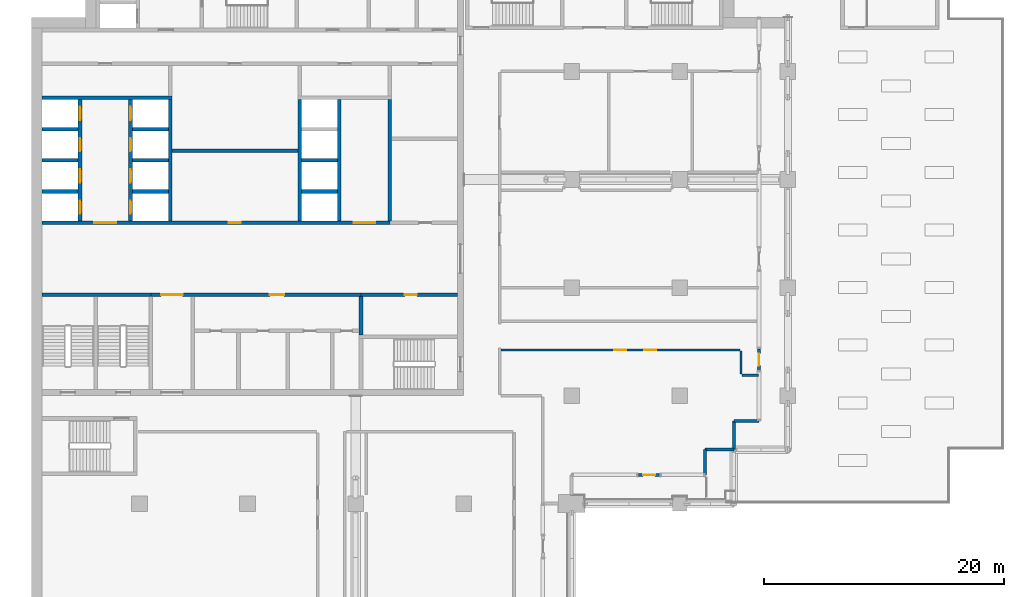
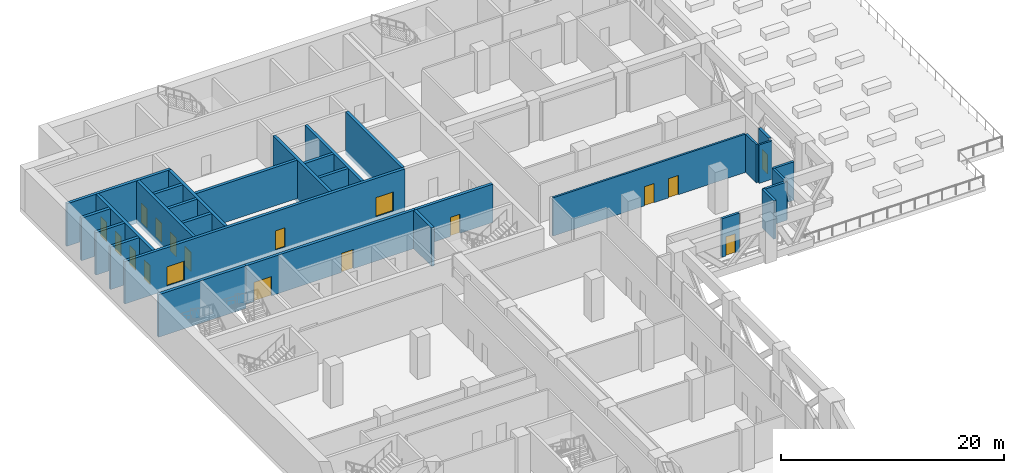
# One storey, part 10 of 22: 30 walls, 18 doors, 18 openings.
"""IFC4 building model written with IfcOpenShell, lengths in metres."""

from ifc_helpers import new_model, si_unit, direction, frame, frame_2d, origin, place, context, subcontext, project, spatial, rectangle, extrude, material, layer, layer_set, type_object, element, fill, save


model = new_model("IFC4")

# Units and contexts
model_context = context("Model", 3, precision=1e-05, world=origin(), true_north=direction((0.0, 1.0)))
body_context = subcontext(model_context, "Body", "Model", "MODEL_VIEW")
ifc_project = project(units=[si_unit("LENGTHUNIT", "METRE"), si_unit("AREAUNIT", "SQUARE_METRE"), si_unit("VOLUMEUNIT", "CUBIC_METRE"), si_unit("PLANEANGLEUNIT", "RADIAN"), si_unit("MASSUNIT", "GRAM", prefix="KILO")], contexts=[model_context])

# Site, building, storey
site_placement = place(None, origin())
site = spatial("IfcSite", under=ifc_project, at=site_placement, CompositionType="ELEMENT")
building_placement = place(site_placement, origin())
building = spatial("IfcBuilding", under=site, at=building_placement, Name="Hunhe Ridgeline Campus", CompositionType="ELEMENT")
storey_placement = place(building_placement, frame((0.0, 0.0, 129.199951171875)))
storey = spatial("IfcBuildingStorey", under=building, at=storey_placement, Name="L32", CompositionType="ELEMENT", Elevation=129.199951171875)

# Wall, openings, doors
ifc_material_1 = material(Name="Masonry concrete blockwork", Category="masonry")
ifc_layer_1 = layer(ifc_material_1, 0.300048828125)
ifc_layer_set_1 = layer_set([ifc_layer_1], Name="Core room partition 300 concrete block")
wall_type_1 = type_object("IfcWallType", Name="Core room partition 300 concrete block", PredefinedType="PARTITIONING", material=ifc_layer_set_1)
wall_1_placement = place(storey_placement, frame((9.949951171875, 71.39990234375, 0.0), z_axis=(0.0, 0.0, 1.0), x_axis=(1.0, 0.0, 0.0)))
wall_1 = element("IfcWall", 1, at=wall_1_placement, inside=storey, type_object=wall_type_1, Name="L32 core partition 11", PredefinedType="PARTITIONING", context=body_context, shape_type="SweptSolid", body=[
    extrude(rectangle(XDim=17.5, YDim=0.300048828125, at=frame_2d((8.75, 0.0))), origin(), (0.0, 0.0, 1.0), 4.199951171875),
])
opening_1_placement = place(wall_1_placement, frame((0.85009765625, 0.0, 0.0)))
opening_1 = element("IfcOpeningElement", 2, at=opening_1_placement, cuts=wall_1, Name="Opening CD7", PredefinedType="OPENING", context=body_context, shape_type="SweptSolid", body=[
    extrude(rectangle(XDim=1.800048828125, YDim=2.10009765625, at=frame_2d((0.89990234375, 1.050048828125))), frame((0.0, 0.14990234375, 0.0), z_axis=(0.0, -1.0, 0.0), x_axis=(1.0, 0.0, 0.0)), (0.0, 0.0, 1.0), 0.300048828125),
])
opening_2_placement = place(wall_1_placement, frame((9.89990234375, 0.0, 0.0)))
opening_2 = element("IfcOpeningElement", 3, at=opening_2_placement, cuts=wall_1, Name="Opening CD12", PredefinedType="OPENING", context=body_context, shape_type="SweptSolid", body=[
    extrude(rectangle(XDim=1.199951171875, YDim=2.10009765625, at=frame_2d((0.60009765625, 1.050048828125))), frame((0.0, 0.14990234375, 0.0), z_axis=(0.0, -1.0, 0.0), x_axis=(1.0, 0.0, 0.0)), (0.0, 0.0, 1.0), 0.300048828125),
])
ifc_material_2 = material(Name="Anodised aluminium and glass", Category="aluminium")
door_type_1 = type_object("IfcDoorType", Name="Glazed double door 1800x2100", OperationType="DOUBLE_DOOR_SINGLE_SWING", PredefinedType="DOOR", material=ifc_material_2)
door_1_placement = place(opening_1_placement, origin())
door_1 = element("IfcDoor", 4, at=door_1_placement, inside=storey, type_object=door_type_1, Name="L32 door VEST-HALL", OperationType="DOUBLE_DOOR_SINGLE_SWING", OverallHeight=2.10009765625, OverallWidth=1.800048828125, PredefinedType="DOOR", context=body_context, shape_type="SweptSolid", body=[
    extrude(rectangle(XDim=1.800048828125, YDim=2.10009765625, at=frame_2d((0.89990234375, 1.050048828125))), frame((0.0, 0.02490234375, 0.0), z_axis=(0.0, -1.0, 0.0), x_axis=(1.0, 0.0, 0.0)), (0.0, 0.0, 1.0), 0.050048828125),
])
fill(opening_1, door_1)
ifc_material_3 = material(Name="Solid core timber door leaf", Category="wood")
door_type_2 = type_object("IfcDoorType", Name="Timber door 1200x2100", OperationType="SINGLE_SWING_LEFT", PredefinedType="DOOR", material=ifc_material_3)
door_2_placement = place(opening_2_placement, origin())
door_2 = element("IfcDoor", 5, at=door_2_placement, inside=storey, type_object=door_type_2, Name="L32 door WCL2-HALL", OperationType="SINGLE_SWING_LEFT", OverallHeight=2.10009765625, OverallWidth=1.199951171875, PredefinedType="DOOR", context=body_context, shape_type="SweptSolid", body=[
    extrude(rectangle(XDim=1.199951171875, YDim=2.10009765625, at=frame_2d((0.60009765625, 1.050048828125))), frame((0.0, 0.02490234375, 0.0), z_axis=(0.0, -1.0, 0.0), x_axis=(1.0, 0.0, 0.0)), (0.0, 0.0, 1.0), 0.050048828125),
])
fill(opening_2, door_2)

# Walls
wall_2_placement = place(storey_placement, frame((11.699951171875, 83.39990234375, 0.0), z_axis=(0.0, 0.0, 1.0), x_axis=(1.0, 0.0, 0.0)))
element("IfcWall", 6, at=wall_2_placement, inside=storey, type_object=wall_type_1, Name="L32 core partition 21", PredefinedType="PARTITIONING", context=body_context, shape_type="SweptSolid", body=[
    extrude(rectangle(XDim=10.5, YDim=0.300048828125, at=frame_2d((5.25, 0.0))), origin(), (0.0, 0.0, 1.0), 4.199951171875),
])
wall_3_placement = place(storey_placement, frame((27.449951171875, 68.050048828125, 0.0), z_axis=(0.0, 0.0, 1.0), x_axis=(0.0, 1.0, 0.0)))
element("IfcWall", 7, at=wall_3_placement, inside=storey, type_object=wall_type_1, Name="L32 core partition 57", PredefinedType="PARTITIONING", context=body_context, shape_type="SweptSolid", body=[
    extrude(rectangle(XDim=3.199951171875, YDim=0.300048828125, at=frame_2d((1.60009765625, 0.0))), origin(), (0.0, 0.0, 1.0), 4.199951171875),
])
ifc_material_4 = material(Name="Concrete C30", Category="concrete")
ifc_layer_2 = layer(ifc_material_4, 0.25)
ifc_layer_set_2 = layer_set([ifc_layer_2], Name="Corner return wall 250 Concrete C30")
wall_type_2 = type_object("IfcWallType", Name="Corner return wall 250 Concrete C30", PredefinedType="SOLIDWALL", material=ifc_layer_set_2)
wall_4_placement = place(storey_placement, frame((56.09912109375, 56.40087890625, 0.0), z_axis=(0.0, 0.0, 1.0), x_axis=(0.00011626555, 0.999999993241, 0.0)))
element("IfcWall", 8, at=wall_4_placement, inside=storey, type_object=wall_type_2, Name="Corner return wall 4", PredefinedType="SOLIDWALL", context=body_context, shape_type="SweptSolid", body=[
    extrude(rectangle(XDim=2.099853515625, YDim=0.25, at=frame_2d((1.0498046875, 0.0))), origin(), (0.0, 0.0, 1.0), 4.199951171875),
])
for number, where, z_axis, x_axis, name in (
    (9, (56.099365234375, 58.500732421875, 0.0), (0.0, 0.0, 1.0), (0.999999994825, 0.000101739749, 0.0), "Corner return wall 5"),
    (10, (58.4990234375, 58.5009765625, 0.0), (0.0, 0.0, 1.0), (0.000101739749, 0.999999994825, 0.0), "Corner return wall 6"),
):
    element("IfcWall", number, at=place(storey_placement, frame(where, z_axis=z_axis, x_axis=x_axis)), inside=storey, type_object=wall_type_2, Name=name, PredefinedType="SOLIDWALL", context=body_context, shape_type="SweptSolid", body=[
        extrude(rectangle(XDim=2.399658203125, YDim=0.25, at=frame_2d((1.19970703125, 0.0))), origin(), (0.0, 0.0, 1.0), 4.199951171875),
    ])
wall_5_placement = place(storey_placement, frame((58.499267578125, 60.900634765625, 0.0), z_axis=(0.0, 0.0, 1.0), x_axis=(0.999999993241, 0.00011626555, 0.0)))
element("IfcWall", 11, at=wall_5_placement, inside=storey, type_object=wall_type_2, Name="Corner return wall 7", PredefinedType="SOLIDWALL", context=body_context, shape_type="SweptSolid", body=[
    extrude(rectangle(XDim=2.099853515625, YDim=0.25, at=frame_2d((1.0498046875, 0.0))), origin(), (0.0, 0.0, 1.0), 4.199951171875),
])
ifc_material_5 = material(Name="Gypsum board partition")
ifc_layer_3 = layer(ifc_material_5, 0.199951171875)
ifc_layer_set_3 = layer_set([ifc_layer_3], Name="Corridor partition 200 gypsum board on steel studs")
wall_type_3 = type_object("IfcWallType", Name="Corridor partition 200 gypsum board on steel studs", PredefinedType="PARTITIONING", material=ifc_layer_set_3)
wall_6_placement = place(storey_placement, frame((60.544921875, 64.700927734375, 0.0), z_axis=(0.0, 0.0, 1.0), x_axis=(-1.0, 0.0, 0.0)))
element("IfcWall", 12, at=wall_6_placement, inside=storey, type_object=wall_type_3, Name="F-L32-wall-028", PredefinedType="PARTITIONING", context=body_context, shape_type="SweptSolid", body=[
    extrude(rectangle(XDim=1.345947265625, YDim=0.199951171875, at=frame_2d((0.6728515625, 0.0))), origin(), (0.0, 0.0, 1.0), 4.199951171875),
])

# Wall, openings, doors
wall_7_placement = place(storey_placement, frame((58.9990234375, 66.800048828125, 0.0), z_axis=(0.0, 0.0, 1.0), x_axis=(-1.0, 0.0, 0.0)))
wall_7 = element("IfcWall", 13, at=wall_7_placement, inside=storey, type_object=wall_type_3, Name="F-L32-wall-029", PredefinedType="PARTITIONING", context=body_context, shape_type="SweptSolid", body=[
    extrude(rectangle(XDim=19.89892578125, YDim=0.199951171875, at=frame_2d((9.949462890625, 0.0))), origin(), (0.0, 0.0, 1.0), 4.199951171875),
])
opening_3_placement = place(wall_7_placement, frame((9.449462890625, 0.0, 0.0)))
opening_3 = element("IfcOpeningElement", 14, at=opening_3_placement, cuts=wall_7, Name="Opening RD1-020", PredefinedType="OPENING", context=body_context, shape_type="SweptSolid", body=[
    extrude(rectangle(XDim=1.0, YDim=2.10009765625, at=frame_2d((0.5, 1.050048828125))), frame((0.0, 0.10009765625, 0.0), z_axis=(0.0, -1.0, 0.0), x_axis=(1.0, 0.0, 0.0)), (0.0, 0.0, 1.0), 0.199951171875),
])
opening_4_placement = place(wall_7_placement, frame((6.949462890625, 0.0, 0.0)))
opening_4 = element("IfcOpeningElement", 15, at=opening_4_placement, cuts=wall_7, Name="Opening RD1-021", PredefinedType="OPENING", context=body_context, shape_type="SweptSolid", body=[
    extrude(rectangle(XDim=1.0, YDim=2.10009765625, at=frame_2d((0.5, 1.050048828125))), frame((0.0, 0.10009765625, 0.0), z_axis=(0.0, -1.0, 0.0), x_axis=(1.0, 0.0, 0.0)), (0.0, 0.0, 1.0), 0.199951171875),
])
ifc_material_6 = material(Name="Timber door leaf", Category="wood")
door_type_3 = type_object("IfcDoorType", Name="Single fire door 1000x2100 timber FD60", OperationType="NOTDEFINED", PredefinedType="DOOR", material=ifc_material_6)
door_3_placement = place(opening_3_placement, frame((1.0, 0.0, 0.0), z_axis=(0.0, 0.0, 1.0), x_axis=(-1.0, 0.0, 0.0)))
door_3 = element("IfcDoor", 16, at=door_3_placement, inside=storey, type_object=door_type_3, Name="F-L32-door-020", OperationType="SINGLE_SWING_RIGHT", OverallHeight=2.10009765625, OverallWidth=1.0, PredefinedType="DOOR", context=body_context, shape_type="SweptSolid", body=[
    extrude(rectangle(XDim=1.0, YDim=2.10009765625, at=frame_2d((0.5, 1.050048828125))), frame((0.0, 0.02490234375, 0.0), z_axis=(0.0, -1.0, 0.0), x_axis=(1.0, 0.0, 0.0)), (0.0, 0.0, 1.0), 0.050048828125),
])
fill(opening_3, door_3)
door_4_placement = place(opening_4_placement, frame((1.0, 0.0, 0.0), z_axis=(0.0, 0.0, 1.0), x_axis=(-1.0, 0.0, 0.0)))
door_4 = element("IfcDoor", 17, at=door_4_placement, inside=storey, type_object=door_type_3, Name="F-L32-door-021", OperationType="SINGLE_SWING_RIGHT", OverallHeight=2.10009765625, OverallWidth=1.0, PredefinedType="DOOR", context=body_context, shape_type="SweptSolid", body=[
    extrude(rectangle(XDim=1.0, YDim=2.10009765625, at=frame_2d((0.5, 1.050048828125))), frame((0.0, 0.02490234375, 0.0), z_axis=(0.0, -1.0, 0.0), x_axis=(1.0, 0.0, 0.0)), (0.0, 0.0, 1.0), 0.050048828125),
])
fill(opening_4, door_4)

# Wall
wall_8_placement = place(storey_placement, frame((59.09912109375, 64.801025390625, 0.0), z_axis=(0.0, 0.0, 1.0), x_axis=(0.0, 1.0, 0.0)))
element("IfcWall", 18, at=wall_8_placement, inside=storey, type_object=wall_type_3, Name="F-L32-wall-069", PredefinedType="PARTITIONING", context=body_context, shape_type="SweptSolid", body=[
    extrude(rectangle(XDim=1.89892578125, YDim=0.199951171875, at=frame_2d((0.949462890625, 0.0))), origin(), (0.0, 0.0, 1.0), 4.199951171875),
])

# Wall, opening, door
ifc_material_7 = material(Name="Concrete C70", Category="concrete")
ifc_layer_4 = layer(ifc_material_7, 0.300048828125)
ifc_layer_set_4 = layer_set([ifc_layer_4], Name="Lobby wall 300 reinforced concrete C70")
wall_type_4 = type_object("IfcWallType", Name="Lobby wall 300 reinforced concrete C70", PredefinedType="SOLIDWALL", material=ifc_layer_set_4)
wall_9_placement = place(storey_placement, frame((27.449951171875, 71.39990234375, 0.0), z_axis=(0.0, 0.0, 1.0), x_axis=(1.0, 0.0, 0.0)))
wall_9 = element("IfcWall", 19, at=wall_9_placement, inside=storey, type_object=wall_type_4, Name="L32 core wall 12", PredefinedType="SOLIDWALL", context=body_context, shape_type="SweptSolid", body=[
    extrude(rectangle(XDim=8.050048828125, YDim=0.300048828125, at=frame_2d((4.02490234375, 0.0))), origin(), (0.0, 0.0, 1.0), 4.199951171875),
])
opening_5_placement = place(wall_9_placement, frame((3.64990234375, 0.0, 0.0)))
opening_5 = element("IfcOpeningElement", 20, at=opening_5_placement, cuts=wall_9, Name="Opening CD25", PredefinedType="OPENING", context=body_context, shape_type="SweptSolid", body=[
    extrude(rectangle(XDim=1.0, YDim=2.10009765625, at=frame_2d((0.5, 1.050048828125))), frame((0.0, 0.14990234375, 0.0), z_axis=(0.0, -1.0, 0.0), x_axis=(1.0, 0.0, 0.0)), (0.0, 0.0, 1.0), 0.300048828125),
])
door_type_4 = type_object("IfcDoorType", Name="Timber door 1000x2100", OperationType="SINGLE_SWING_LEFT", PredefinedType="DOOR", material=ifc_material_3)
door_5_placement = place(opening_5_placement, frame((1.0, 0.0, 0.0), z_axis=(0.0, 0.0, 1.0), x_axis=(-1.0, 0.0, 0.0)))
door_5 = element("IfcDoor", 21, at=door_5_placement, inside=storey, type_object=door_type_4, Name="L32 door SE1", OperationType="SINGLE_SWING_LEFT", OverallHeight=2.10009765625, OverallWidth=1.0, PredefinedType="DOOR", context=body_context, shape_type="SweptSolid", body=[
    extrude(rectangle(XDim=1.0, YDim=2.10009765625, at=frame_2d((0.5, 1.050048828125))), frame((0.0, 0.02490234375, 0.0), z_axis=(0.0, -1.0, 0.0), x_axis=(1.0, 0.0, 0.0)), (0.0, 0.0, 1.0), 0.050048828125),
])
fill(opening_5, door_5)

# Wall
wall_10_placement = place(storey_placement, frame((29.85009765625, 77.550048828125, -0.449951171875), z_axis=(0.0, 0.0, 1.0), x_axis=(0.0, 1.0, 0.0)))
element("IfcWall", 22, at=wall_10_placement, inside=storey, type_object=wall_type_4, Name="L32 core wall 59", PredefinedType="SOLIDWALL", context=body_context, shape_type="SweptSolid", body=[
    extrude(rectangle(XDim=10.099853515625, YDim=0.300048828125, at=frame_2d((5.0498046875, 0.0))), origin(), (0.0, 0.0, 1.0), 4.64990234375),
])

# Wall, opening, door
ifc_layer_5 = layer(ifc_material_4, 0.25)
ifc_layer_set_5 = layer_set([ifc_layer_5], Name="Loggia door pier wall 250 Concrete C30")
wall_type_5 = type_object("IfcWallType", Name="Loggia door pier wall 250 Concrete C30", PredefinedType="SOLIDWALL", material=ifc_layer_set_5)
wall_11_placement = place(storey_placement, frame((50.54931640625, 56.40087890625, 0.0), z_axis=(0.0, 0.0, 1.0), x_axis=(1.0, 0.0, 0.0)))
wall_11 = element("IfcWall", 23, at=wall_11_placement, inside=storey, type_object=wall_type_5, Name="Loggia door pier 12", PredefinedType="SOLIDWALL", context=body_context, shape_type="SweptSolid", body=[
    extrude(rectangle(XDim=1.800048828125, YDim=0.25, at=frame_2d((0.89990234375, 0.0))), origin(), (0.0, 0.0, 1.0), 4.199951171875),
])
opening_6_placement = place(wall_11_placement, frame((0.39990234375, 0.0, 0.0)))
opening_6 = element("IfcOpeningElement", 24, at=opening_6_placement, cuts=wall_11, Name="Opening BR312", PredefinedType="OPENING", context=body_context, shape_type="SweptSolid", body=[
    extrude(rectangle(XDim=1.0, YDim=2.10009765625, at=frame_2d((0.5, 1.050048828125))), frame((0.0, 0.125, 0.0), z_axis=(0.0, -1.0, 0.0), x_axis=(1.0, 0.0, 0.0)), (0.0, 0.0, 1.0), 0.25),
])
ifc_material_8 = material(Name="Aluminium 6063", Category="aluminium")
door_type_5 = type_object("IfcDoorType", Name="Loggia glazed door 1000x2100", OperationType="NOTDEFINED", PredefinedType="DOOR", material=ifc_material_8)
door_6_placement = place(opening_6_placement, frame((1.0, 0.0, 0.0), z_axis=(0.0, 0.0, 1.0), x_axis=(-1.0, 0.0, 0.0)))
door_6 = element("IfcDoor", 25, at=door_6_placement, inside=storey, type_object=door_type_5, Name="Loggia door BR312", OperationType="SINGLE_SWING_LEFT", OverallHeight=2.10009765625, OverallWidth=1.0, PredefinedType="DOOR", context=body_context, shape_type="SweptSolid", body=[
    extrude(rectangle(XDim=1.0, YDim=2.10009765625, at=frame_2d((0.5, 1.050048828125))), frame((0.0, 0.02490234375, 0.0), z_axis=(0.0, -1.0, 0.0), x_axis=(1.0, 0.0, 0.0)), (0.0, 0.0, 1.0), 0.050048828125),
])
fill(opening_6, door_6)

wall_12_placement = place(storey_placement, frame((60.59912109375, 65.100830078125, 0.0), z_axis=(0.0, 0.0, 1.0), x_axis=(0.0, 1.0, 0.0)))
wall_12 = element("IfcWall", 26, at=wall_12_placement, inside=storey, type_object=wall_type_5, Name="Loggia door pier 13", PredefinedType="SOLIDWALL", context=body_context, shape_type="SweptSolid", body=[
    extrude(rectangle(XDim=1.800048828125, YDim=0.25, at=frame_2d((0.89990234375, 0.0))), origin(), (0.0, 0.0, 1.0), 4.199951171875),
])
opening_7_placement = place(wall_12_placement, frame((0.39990234375, 0.0, 0.0)))
opening_7 = element("IfcOpeningElement", 27, at=opening_7_placement, cuts=wall_12, Name="Opening BR313", PredefinedType="OPENING", context=body_context, shape_type="SweptSolid", body=[
    extrude(rectangle(XDim=1.0, YDim=2.10009765625, at=frame_2d((0.5, 1.050048828125))), frame((0.0, 0.125, 0.0), z_axis=(0.0, -1.0, 0.0), x_axis=(1.0, 0.0, 0.0)), (0.0, 0.0, 1.0), 0.25),
])
door_7_placement = place(opening_7_placement, frame((1.0, 0.0, 0.0), z_axis=(0.0, 0.0, 1.0), x_axis=(-1.0, 0.0, 0.0)))
door_7 = element("IfcDoor", 28, at=door_7_placement, inside=storey, type_object=door_type_5, Name="Loggia door BR313", OperationType="SINGLE_SWING_RIGHT", OverallHeight=2.10009765625, OverallWidth=1.0, PredefinedType="DOOR", context=body_context, shape_type="SweptSolid", body=[
    extrude(rectangle(XDim=1.0, YDim=2.10009765625, at=frame_2d((0.5, 1.050048828125))), frame((0.0, 0.02490234375, 0.0), z_axis=(0.0, -1.0, 0.0), x_axis=(1.0, 0.0, 0.0)), (0.0, 0.0, 1.0), 0.050048828125),
])
fill(opening_7, door_7)

# Wall, openings, doors
ifc_layer_6 = layer(ifc_material_7, 0.300048828125)
ifc_layer_set_6 = layer_set([ifc_layer_6], Name="Shaft wall 300 reinforced concrete C70")
wall_type_6 = type_object("IfcWallType", Name="Shaft wall 300 reinforced concrete C70", PredefinedType="SOLIDWALL", material=ifc_layer_set_6)
wall_13_placement = place(storey_placement, frame((0.89990234375, 77.39990234375, -0.449951171875), z_axis=(0.0, 0.0, 1.0), x_axis=(1.0, 0.0, 0.0)))
wall_13 = element("IfcWall", 29, at=wall_13_placement, inside=storey, type_object=wall_type_6, Name="L32 core wall 13", PredefinedType="SOLIDWALL", context=body_context, shape_type="SweptSolid", body=[
    extrude(rectangle(XDim=28.9501953125, YDim=0.300048828125, at=frame_2d((14.47509765625, 0.0))), origin(), (0.0, 0.0, 1.0), 4.64990234375),
])
opening_8_placement = place(wall_13_placement, frame((4.35009765625, 0.0, 0.449951171875)))
opening_8 = element("IfcOpeningElement", 30, at=opening_8_placement, cuts=wall_13, Name="Opening CD1", PredefinedType="OPENING", context=body_context, shape_type="SweptSolid", body=[
    extrude(rectangle(XDim=1.800048828125, YDim=2.10009765625, at=frame_2d((0.89990234375, 1.050048828125))), frame((0.0, 0.14990234375, 0.0), z_axis=(0.0, -1.0, 0.0), x_axis=(1.0, 0.0, 0.0)), (0.0, 0.0, 1.0), 0.300048828125),
])
opening_9_placement = place(wall_13_placement, frame((25.949951171875, 0.0, 0.449951171875)))
opening_9 = element("IfcOpeningElement", 31, at=opening_9_placement, cuts=wall_13, Name="Opening CD2", PredefinedType="OPENING", context=body_context, shape_type="SweptSolid", body=[
    extrude(rectangle(XDim=1.800048828125, YDim=2.10009765625, at=frame_2d((0.89990234375, 1.050048828125))), frame((0.0, 0.14990234375, 0.0), z_axis=(0.0, -1.0, 0.0), x_axis=(1.0, 0.0, 0.0)), (0.0, 0.0, 1.0), 0.300048828125),
])
opening_10_placement = place(wall_13_placement, frame((15.550048828125, 0.0, 0.449951171875)))
opening_10 = element("IfcOpeningElement", 32, at=opening_10_placement, cuts=wall_13, Name="Opening CD28", PredefinedType="OPENING", context=body_context, shape_type="SweptSolid", body=[
    extrude(rectangle(XDim=1.0, YDim=2.10009765625, at=frame_2d((0.5, 1.050048828125))), frame((0.0, 0.14990234375, 0.0), z_axis=(0.0, -1.0, 0.0), x_axis=(1.0, 0.0, 0.0)), (0.0, 0.0, 1.0), 0.300048828125),
])
ifc_material_9 = material(Name="Hollow metal fire door leaf")
door_type_6 = type_object("IfcDoorType", Name="Lobby door 1800x2100 FD60", OperationType="SINGLE_SWING_LEFT", PredefinedType="DOOR", material=ifc_material_9)
door_8_placement = place(opening_8_placement, frame((1.800048828125, 0.0, 0.0), z_axis=(0.0, 0.0, 1.0), x_axis=(-1.0, 0.0, 0.0)))
door_8 = element("IfcDoor", 33, at=door_8_placement, inside=storey, type_object=door_type_6, Name="L32 door LOB-LR", OperationType="SINGLE_SWING_RIGHT", OverallHeight=2.10009765625, OverallWidth=1.800048828125, PredefinedType="DOOR", context=body_context, shape_type="SweptSolid", body=[
    extrude(rectangle(XDim=1.800048828125, YDim=2.10009765625, at=frame_2d((0.89990234375, 1.050048828125))), frame((0.0, 0.02490234375, 0.0), z_axis=(0.0, -1.0, 0.0), x_axis=(1.0, 0.0, 0.0)), (0.0, 0.0, 1.0), 0.050048828125),
])
fill(opening_8, door_8)
door_9_placement = place(opening_9_placement, frame((1.800048828125, 0.0, 0.0), z_axis=(0.0, 0.0, 1.0), x_axis=(-1.0, 0.0, 0.0)))
door_9 = element("IfcDoor", 34, at=door_9_placement, inside=storey, type_object=door_type_6, Name="L32 door LOB-SH", OperationType="SINGLE_SWING_LEFT", OverallHeight=2.10009765625, OverallWidth=1.800048828125, PredefinedType="DOOR", context=body_context, shape_type="SweptSolid", body=[
    extrude(rectangle(XDim=1.800048828125, YDim=2.10009765625, at=frame_2d((0.89990234375, 1.050048828125))), frame((0.0, 0.02490234375, 0.0), z_axis=(0.0, -1.0, 0.0), x_axis=(1.0, 0.0, 0.0)), (0.0, 0.0, 1.0), 0.050048828125),
])
fill(opening_9, door_9)
door_10_placement = place(opening_10_placement, origin())
door_10 = element("IfcDoor", 35, at=door_10_placement, inside=storey, type_object=door_type_4, Name="L32 door VD-HR0", OperationType="SINGLE_SWING_RIGHT", OverallHeight=2.10009765625, OverallWidth=1.0, PredefinedType="DOOR", context=body_context, shape_type="SweptSolid", body=[
    extrude(rectangle(XDim=1.0, YDim=2.10009765625, at=frame_2d((0.5, 1.050048828125))), frame((0.0, 0.02490234375, 0.0), z_axis=(0.0, -1.0, 0.0), x_axis=(1.0, 0.0, 0.0)), (0.0, 0.0, 1.0), 0.050048828125),
])
fill(opening_10, door_10)

# Walls
for number, where, z_axis, x_axis, name in (
    (36, (0.89990234375, 80.0, -0.449951171875), (0.0, 0.0, 1.0), (1.0, 0.0, 0.0), "L32 core wall 15"),
    (37, (8.39990234375, 80.0, -0.449951171875), (0.0, 0.0, 1.0), (1.0, 0.0, 0.0), "L32 core wall 16"),
    (38, (22.5, 80.0, -0.449951171875), (0.0, 0.0, 1.0), (1.0, 0.0, 0.0), "L32 core wall 17"),
    (39, (0.89990234375, 82.60009765625, -0.449951171875), (0.0, 0.0, 1.0), (1.0, 0.0, 0.0), "L32 core wall 18"),
    (40, (8.39990234375, 82.60009765625, -0.449951171875), (0.0, 0.0, 1.0), (1.0, 0.0, 0.0), "L32 core wall 19"),
    (41, (22.5, 82.60009765625, -0.449951171875), (0.0, 0.0, 1.0), (1.0, 0.0, 0.0), "L32 core wall 20"),
    (42, (0.89990234375, 85.199951171875, -0.449951171875), (0.0, 0.0, 1.0), (1.0, 0.0, 0.0), "L32 core wall 23"),
    (43, (8.39990234375, 85.199951171875, -0.449951171875), (0.0, 0.0, 1.0), (1.0, 0.0, 0.0), "L32 core wall 24"),
):
    element("IfcWall", number, at=place(storey_placement, frame(where, z_axis=z_axis, x_axis=x_axis)), inside=storey, type_object=wall_type_6, Name=name, PredefinedType="SOLIDWALL", context=body_context, shape_type="SweptSolid", body=[
        extrude(rectangle(XDim=3.0, YDim=0.300048828125, at=frame_2d((1.5, 0.0))), origin(), (0.0, 0.0, 1.0), 4.64990234375),
    ])
wall_14_placement = place(storey_placement, frame((0.89990234375, 87.800048828125, -0.449951171875), z_axis=(0.0, 0.0, 1.0), x_axis=(1.0, 0.0, 0.0)))
element("IfcWall", 44, at=wall_14_placement, inside=storey, type_object=wall_type_6, Name="L32 core wall 26", PredefinedType="SOLIDWALL", context=body_context, shape_type="SweptSolid", body=[
    extrude(rectangle(XDim=10.800048828125, YDim=0.300048828125, at=frame_2d((5.39990234375, 0.0))), origin(), (0.0, 0.0, 1.0), 4.64990234375),
])

# Wall, openings, doors
wall_15_placement = place(storey_placement, frame((4.050048828125, 77.550048828125, -0.449951171875), z_axis=(0.0, 0.0, 1.0), x_axis=(0.0, 1.0, 0.0)))
wall_15 = element("IfcWall", 45, at=wall_15_placement, inside=storey, type_object=wall_type_6, Name="L32 core wall 35", PredefinedType="SOLIDWALL", context=body_context, shape_type="SweptSolid", body=[
    extrude(rectangle(XDim=10.099853515625, YDim=0.300048828125, at=frame_2d((5.0498046875, 0.0))), origin(), (0.0, 0.0, 1.0), 4.64990234375),
])
opening_11_placement = place(wall_15_placement, frame((0.60009765625, 0.0, 0.449951171875)))
opening_11 = element("IfcOpeningElement", 46, at=opening_11_placement, cuts=wall_15, Name="Opening LD-LR1", PredefinedType="OPENING", context=body_context, shape_type="SweptSolid", body=[
    extrude(rectangle(XDim=1.10009765625, YDim=2.10009765625, at=frame_2d((0.550048828125, 1.050048828125))), frame((0.0, 0.14990234375, 0.0), z_axis=(0.0, -1.0, 0.0), x_axis=(1.0, 0.0, 0.0)), (0.0, 0.0, 1.0), 0.300048828125),
])
opening_12_placement = place(wall_15_placement, frame((3.199951171875, 0.0, 0.449951171875)))
opening_12 = element("IfcOpeningElement", 47, at=opening_12_placement, cuts=wall_15, Name="Opening LD-LR2", PredefinedType="OPENING", context=body_context, shape_type="SweptSolid", body=[
    extrude(rectangle(XDim=1.10009765625, YDim=2.10009765625, at=frame_2d((0.550048828125, 1.050048828125))), frame((0.0, 0.14990234375, 0.0), z_axis=(0.0, -1.0, 0.0), x_axis=(1.0, 0.0, 0.0)), (0.0, 0.0, 1.0), 0.300048828125),
])
opening_13_placement = place(wall_15_placement, frame((5.800048828125, 0.0, 0.449951171875)))
opening_13 = element("IfcOpeningElement", 48, at=opening_13_placement, cuts=wall_15, Name="Opening LD-LR3", PredefinedType="OPENING", context=body_context, shape_type="SweptSolid", body=[
    extrude(rectangle(XDim=1.10009765625, YDim=2.10009765625, at=frame_2d((0.550048828125, 1.050048828125))), frame((0.0, 0.14990234375, 0.0), z_axis=(0.0, -1.0, 0.0), x_axis=(1.0, 0.0, 0.0)), (0.0, 0.0, 1.0), 0.300048828125),
])
opening_14_placement = place(wall_15_placement, frame((8.39990234375, 0.0, 0.449951171875)))
opening_14 = element("IfcOpeningElement", 49, at=opening_14_placement, cuts=wall_15, Name="Opening LD-LR4", PredefinedType="OPENING", context=body_context, shape_type="SweptSolid", body=[
    extrude(rectangle(XDim=1.10009765625, YDim=2.10009765625, at=frame_2d((0.550048828125, 1.050048828125))), frame((0.0, 0.14990234375, 0.0), z_axis=(0.0, -1.0, 0.0), x_axis=(1.0, 0.0, 0.0)), (0.0, 0.0, 1.0), 0.300048828125),
])
ifc_material_10 = material(Name="Stainless steel sliding leaves", Category="steel")
door_type_7 = type_object("IfcDoorType", Name="Landing door 1100x2100 FD120", OperationType="SLIDING_TO_LEFT", PredefinedType="DOOR", material=ifc_material_10)
door_11_placement = place(opening_11_placement, origin())
door_11 = element("IfcDoor", 50, at=door_11_placement, inside=storey, type_object=door_type_7, Name="L32 landing door LR1", OperationType="SLIDING_TO_RIGHT", OverallHeight=2.10009765625, OverallWidth=1.10009765625, PredefinedType="DOOR", context=body_context, shape_type="SweptSolid", body=[
    extrude(rectangle(XDim=1.10009765625, YDim=2.10009765625, at=frame_2d((0.550048828125, 1.050048828125))), frame((0.0, 0.02490234375, 0.0), z_axis=(0.0, -1.0, 0.0), x_axis=(1.0, 0.0, 0.0)), (0.0, 0.0, 1.0), 0.050048828125),
])
fill(opening_11, door_11)
door_12_placement = place(opening_12_placement, origin())
door_12 = element("IfcDoor", 51, at=door_12_placement, inside=storey, type_object=door_type_7, Name="L32 landing door LR2", OperationType="SLIDING_TO_LEFT", OverallHeight=2.10009765625, OverallWidth=1.10009765625, PredefinedType="DOOR", context=body_context, shape_type="SweptSolid", body=[
    extrude(rectangle(XDim=1.10009765625, YDim=2.10009765625, at=frame_2d((0.550048828125, 1.050048828125))), frame((0.0, 0.02490234375, 0.0), z_axis=(0.0, -1.0, 0.0), x_axis=(1.0, 0.0, 0.0)), (0.0, 0.0, 1.0), 0.050048828125),
])
fill(opening_12, door_12)
door_13_placement = place(opening_13_placement, origin())
door_13 = element("IfcDoor", 52, at=door_13_placement, inside=storey, type_object=door_type_7, Name="L32 landing door LR3", OperationType="SLIDING_TO_RIGHT", OverallHeight=2.10009765625, OverallWidth=1.10009765625, PredefinedType="DOOR", context=body_context, shape_type="SweptSolid", body=[
    extrude(rectangle(XDim=1.10009765625, YDim=2.10009765625, at=frame_2d((0.550048828125, 1.050048828125))), frame((0.0, 0.02490234375, 0.0), z_axis=(0.0, -1.0, 0.0), x_axis=(1.0, 0.0, 0.0)), (0.0, 0.0, 1.0), 0.050048828125),
])
fill(opening_13, door_13)
door_14_placement = place(opening_14_placement, origin())
door_14 = element("IfcDoor", 53, at=door_14_placement, inside=storey, type_object=door_type_7, Name="L32 landing door LR4", OperationType="SLIDING_TO_LEFT", OverallHeight=2.10009765625, OverallWidth=1.10009765625, PredefinedType="DOOR", context=body_context, shape_type="SweptSolid", body=[
    extrude(rectangle(XDim=1.10009765625, YDim=2.10009765625, at=frame_2d((0.550048828125, 1.050048828125))), frame((0.0, 0.02490234375, 0.0), z_axis=(0.0, -1.0, 0.0), x_axis=(1.0, 0.0, 0.0)), (0.0, 0.0, 1.0), 0.050048828125),
])
fill(opening_14, door_14)

wall_16_placement = place(storey_placement, frame((8.25, 77.550048828125, -0.449951171875), z_axis=(0.0, 0.0, 1.0), x_axis=(0.0, 1.0, 0.0)))
wall_16 = element("IfcWall", 54, at=wall_16_placement, inside=storey, type_object=wall_type_6, Name="L32 core wall 38", PredefinedType="SOLIDWALL", context=body_context, shape_type="SweptSolid", body=[
    extrude(rectangle(XDim=10.099853515625, YDim=0.300048828125, at=frame_2d((5.0498046875, 0.0))), origin(), (0.0, 0.0, 1.0), 4.64990234375),
])
opening_15_placement = place(wall_16_placement, frame((0.60009765625, 0.0, 0.449951171875)))
opening_15 = element("IfcOpeningElement", 55, at=opening_15_placement, cuts=wall_16, Name="Opening LD-LR5", PredefinedType="OPENING", context=body_context, shape_type="SweptSolid", body=[
    extrude(rectangle(XDim=1.10009765625, YDim=2.10009765625, at=frame_2d((0.550048828125, 1.050048828125))), frame((0.0, 0.14990234375, 0.0), z_axis=(0.0, -1.0, 0.0), x_axis=(1.0, 0.0, 0.0)), (0.0, 0.0, 1.0), 0.300048828125),
])
opening_16_placement = place(wall_16_placement, frame((3.199951171875, 0.0, 0.449951171875)))
opening_16 = element("IfcOpeningElement", 56, at=opening_16_placement, cuts=wall_16, Name="Opening LD-LR6", PredefinedType="OPENING", context=body_context, shape_type="SweptSolid", body=[
    extrude(rectangle(XDim=1.10009765625, YDim=2.10009765625, at=frame_2d((0.550048828125, 1.050048828125))), frame((0.0, 0.14990234375, 0.0), z_axis=(0.0, -1.0, 0.0), x_axis=(1.0, 0.0, 0.0)), (0.0, 0.0, 1.0), 0.300048828125),
])
opening_17_placement = place(wall_16_placement, frame((5.800048828125, 0.0, 0.449951171875)))
opening_17 = element("IfcOpeningElement", 57, at=opening_17_placement, cuts=wall_16, Name="Opening LD-LR7", PredefinedType="OPENING", context=body_context, shape_type="SweptSolid", body=[
    extrude(rectangle(XDim=1.10009765625, YDim=2.10009765625, at=frame_2d((0.550048828125, 1.050048828125))), frame((0.0, 0.14990234375, 0.0), z_axis=(0.0, -1.0, 0.0), x_axis=(1.0, 0.0, 0.0)), (0.0, 0.0, 1.0), 0.300048828125),
])
opening_18_placement = place(wall_16_placement, frame((8.39990234375, 0.0, 0.449951171875)))
opening_18 = element("IfcOpeningElement", 58, at=opening_18_placement, cuts=wall_16, Name="Opening LD-LR8", PredefinedType="OPENING", context=body_context, shape_type="SweptSolid", body=[
    extrude(rectangle(XDim=1.10009765625, YDim=2.10009765625, at=frame_2d((0.550048828125, 1.050048828125))), frame((0.0, 0.14990234375, 0.0), z_axis=(0.0, -1.0, 0.0), x_axis=(1.0, 0.0, 0.0)), (0.0, 0.0, 1.0), 0.300048828125),
])
door_15_placement = place(opening_15_placement, origin())
door_15 = element("IfcDoor", 59, at=door_15_placement, inside=storey, type_object=door_type_7, Name="L32 landing door LR5", OperationType="SLIDING_TO_RIGHT", OverallHeight=2.10009765625, OverallWidth=1.10009765625, PredefinedType="DOOR", context=body_context, shape_type="SweptSolid", body=[
    extrude(rectangle(XDim=1.10009765625, YDim=2.10009765625, at=frame_2d((0.550048828125, 1.050048828125))), frame((0.0, 0.02490234375, 0.0), z_axis=(0.0, -1.0, 0.0), x_axis=(1.0, 0.0, 0.0)), (0.0, 0.0, 1.0), 0.050048828125),
])
fill(opening_15, door_15)
door_16_placement = place(opening_16_placement, origin())
door_16 = element("IfcDoor", 60, at=door_16_placement, inside=storey, type_object=door_type_7, Name="L32 landing door LR6", OperationType="SLIDING_TO_LEFT", OverallHeight=2.10009765625, OverallWidth=1.10009765625, PredefinedType="DOOR", context=body_context, shape_type="SweptSolid", body=[
    extrude(rectangle(XDim=1.10009765625, YDim=2.10009765625, at=frame_2d((0.550048828125, 1.050048828125))), frame((0.0, 0.02490234375, 0.0), z_axis=(0.0, -1.0, 0.0), x_axis=(1.0, 0.0, 0.0)), (0.0, 0.0, 1.0), 0.050048828125),
])
fill(opening_16, door_16)
door_17_placement = place(opening_17_placement, origin())
door_17 = element("IfcDoor", 61, at=door_17_placement, inside=storey, type_object=door_type_7, Name="L32 landing door LR7", OperationType="SLIDING_TO_RIGHT", OverallHeight=2.10009765625, OverallWidth=1.10009765625, PredefinedType="DOOR", context=body_context, shape_type="SweptSolid", body=[
    extrude(rectangle(XDim=1.10009765625, YDim=2.10009765625, at=frame_2d((0.550048828125, 1.050048828125))), frame((0.0, 0.02490234375, 0.0), z_axis=(0.0, -1.0, 0.0), x_axis=(1.0, 0.0, 0.0)), (0.0, 0.0, 1.0), 0.050048828125),
])
fill(opening_17, door_17)
door_18_placement = place(opening_18_placement, origin())
door_18 = element("IfcDoor", 62, at=door_18_placement, inside=storey, type_object=door_type_7, Name="L32 landing door LR8", OperationType="SLIDING_TO_LEFT", OverallHeight=2.10009765625, OverallWidth=1.10009765625, PredefinedType="DOOR", context=body_context, shape_type="SweptSolid", body=[
    extrude(rectangle(XDim=1.10009765625, YDim=2.10009765625, at=frame_2d((0.550048828125, 1.050048828125))), frame((0.0, 0.02490234375, 0.0), z_axis=(0.0, -1.0, 0.0), x_axis=(1.0, 0.0, 0.0)), (0.0, 0.0, 1.0), 0.050048828125),
])
fill(opening_18, door_18)

# Walls
for number, where, z_axis, x_axis, name in (
    (63, (11.550048828125, 77.550048828125, -0.449951171875), (0.0, 0.0, 1.0), (0.0, 1.0, 0.0), "L32 core wall 43"),
    (64, (22.35009765625, 77.550048828125, -0.449951171875), (0.0, 0.0, 1.0), (0.0, 1.0, 0.0), "L32 core wall 51"),
    (65, (25.64990234375, 77.550048828125, -0.449951171875), (0.0, 0.0, 1.0), (0.0, 1.0, 0.0), "L32 core wall 55"),
):
    element("IfcWall", number, at=place(storey_placement, frame(where, z_axis=z_axis, x_axis=x_axis)), inside=storey, type_object=wall_type_6, Name=name, PredefinedType="SOLIDWALL", context=body_context, shape_type="SweptSolid", body=[
        extrude(rectangle(XDim=10.099853515625, YDim=0.300048828125, at=frame_2d((5.0498046875, 0.0))), origin(), (0.0, 0.0, 1.0), 4.64990234375),
    ])
ifc_layer_7 = layer(ifc_material_7, 0.300048828125)
ifc_layer_set_7 = layer_set([ifc_layer_7], Name="Stair wall 300 reinforced concrete C70")
wall_type_7 = type_object("IfcWallType", Name="Stair wall 300 reinforced concrete C70", PredefinedType="SOLIDWALL", material=ifc_layer_set_7)
wall_17_placement = place(storey_placement, frame((0.89990234375, 71.39990234375, -0.449951171875), z_axis=(0.0, 0.0, 1.0), x_axis=(1.0, 0.0, 0.0)))
element("IfcWall", 66, at=wall_17_placement, inside=storey, type_object=wall_type_7, Name="L32 core wall 10", PredefinedType="SOLIDWALL", context=body_context, shape_type="SweptSolid", body=[
    extrude(rectangle(XDim=9.050048828125, YDim=0.300048828125, at=frame_2d((4.52490234375, 0.0))), origin(), (0.0, 0.0, 1.0), 4.64990234375),
])

save(model, "model.ifc")
